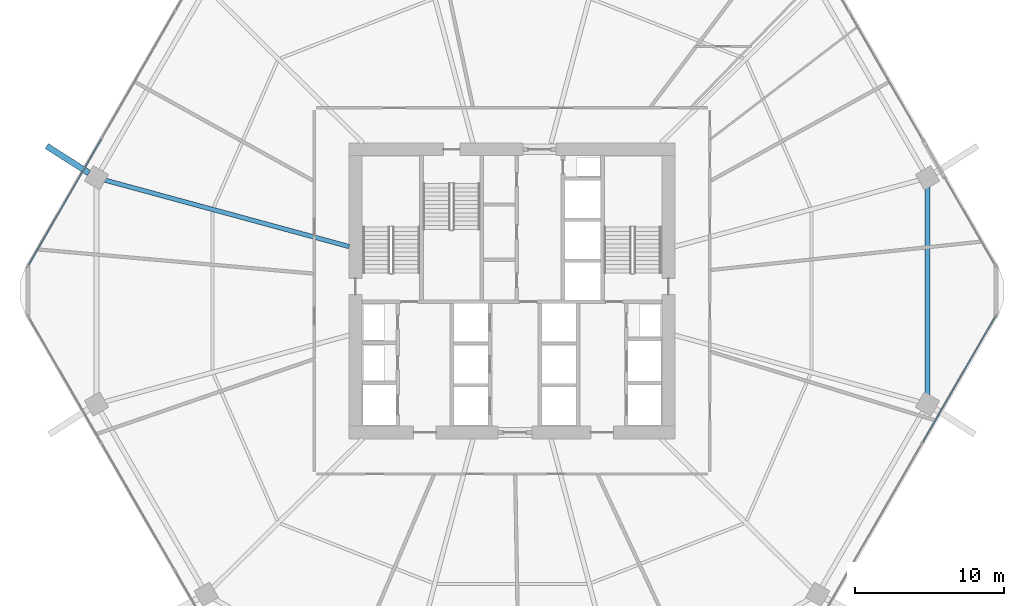
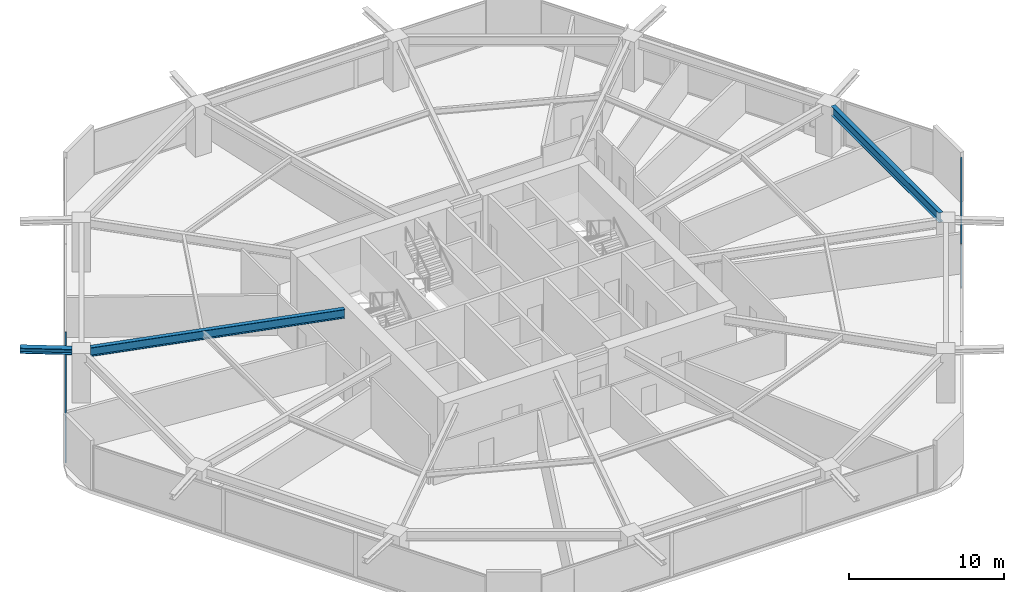
# One storey, part 12 of 25: 4 members, 3 beams, 2 elements without a shape of their own.
"""IFC4 building model written with IfcOpenShell, lengths in metres."""

import ifcopenshell
import ifcopenshell.guid

model = None  # the IFC model being written
_history = None  # IfcOwnerHistory: only IFC2X3 demands one
_inside = {}  # id of a spatial element -> (the spatial element, [elements in it])
_under = {}  # id of a project, library or spatial element -> (it, [spatial elements below it])
_declared = {}  # id of a project -> (the project, [libraries it declares])
_typed = {}  # id of a type object -> (the type object, [elements of that type])
_made_of = {}  # id of a material, layer set ... -> (it, [elements and type objects made of it])


def new_model(schema):
    """Start an empty IFC model of exactly this schema.

    Asked for "IFC4X3", IfcOpenShell would pick the latest addendum, in which some entities
    have other attributes; the version numbers below select the first issue.
    IFC2X3 requires an IfcOwnerHistory on every rooted entity: one is made here for all.
    """
    global model, _history
    if schema == "IFC4X3":
        model = ifcopenshell.file(schema_version=(4, 3, 0, 0))
    else:
        model = ifcopenshell.file(schema=schema)
    _inside.clear()
    _under.clear()
    _declared.clear()
    _typed.clear()
    _made_of.clear()
    _history = None
    if model.schema == "IFC2X3":
        org = make("IfcOrganization", Name="unknown")
        user = make(
            "IfcPersonAndOrganization",
            ThePerson=make("IfcPerson", FamilyName="unknown"),
            TheOrganization=org,
        )
        app = make(
            "IfcApplication",
            ApplicationDeveloper=org,
            Version="unknown",
            ApplicationFullName="unknown",
            ApplicationIdentifier="unknown",
        )
        _history = make(
            "IfcOwnerHistory",
            OwningUser=user,
            OwningApplication=app,
            ChangeAction="ADDED",
            CreationDate=0,
        )
    return model


def make(cls, **values):
    """One entity of the class cls with the attributes given. An attribute that is None is left unset."""
    return model.create_entity(
        cls, **{name: value for name, value in values.items() if value is not None}
    )


def rooted(cls, **values):
    """An entity with a GlobalId (a new one), such as an element, a storey or a relation."""
    return make(cls, GlobalId=ifcopenshell.guid.new(), OwnerHistory=_history, **values)


def si_unit(unit_type, name, prefix=None):
    """IfcSIUnit, for example si_unit("LENGTHUNIT", "METRE", prefix="MILLI")."""
    return make("IfcSIUnit", UnitType=unit_type, Prefix=prefix, Name=name)


def assignment(units):
    """IfcUnitAssignment: the units of a project."""
    return None if units is None else make("IfcUnitAssignment", Units=units)


def point(xyz):
    """IfcCartesianPoint."""
    return None if xyz is None else make("IfcCartesianPoint", Coordinates=xyz)


def direction(xyz):
    """IfcDirection."""
    return None if xyz is None else make("IfcDirection", DirectionRatios=xyz)


def frame(location, z_axis=None, x_axis=None):
    """IfcAxis2Placement3D, a coordinate frame: its origin and axes. An axis left out is left unset."""
    return make(
        "IfcAxis2Placement3D",
        Location=point(location),
        Axis=direction(z_axis),
        RefDirection=direction(x_axis),
    )


def frame_2d(location, x_axis=None):
    """IfcAxis2Placement2D, a coordinate frame in the plane: its origin and x axis."""
    return make(
        "IfcAxis2Placement2D", Location=point(location), RefDirection=direction(x_axis)
    )


def origin():
    """The frame at (0, 0, 0) with its axes left unset."""
    return frame((0.0, 0.0, 0.0))


def origin_2d():
    """The frame at (0, 0) in the plane with its x axis left unset."""
    return frame_2d((0.0, 0.0))


def place(relative_to, where):
    """IfcLocalPlacement: puts the frame where relative to a parent placement (None: the world)."""
    return make(
        "IfcLocalPlacement", PlacementRelTo=relative_to, RelativePlacement=where
    )


def context(
    kind, dimensions, precision=None, world=None, true_north=None, identifier=None
):
    """IfcGeometricRepresentationContext, for example the 3D "Model" context."""
    return make(
        "IfcGeometricRepresentationContext",
        ContextIdentifier=identifier,
        ContextType=kind,
        CoordinateSpaceDimension=dimensions,
        Precision=precision,
        WorldCoordinateSystem=world,
        TrueNorth=true_north,
    )


def subcontext(parent, identifier, kind, view, scale=None):
    """IfcGeometricRepresentationSubContext, for example "Body" below "Model"."""
    return make(
        "IfcGeometricRepresentationSubContext",
        ContextIdentifier=identifier,
        ContextType=kind,
        ParentContext=parent,
        TargetScale=scale,
        TargetView=view,
    )


def project(units=None, contexts=None):
    """IfcProject with its units and contexts."""
    return rooted(
        "IfcProject",
        Name="project",
        RepresentationContexts=contexts,
        UnitsInContext=assignment(units),
    )


def spatial(cls, under=None, at=None, **own):
    """A site, building, storey or space (cls), placed at a placement, below another one or the project."""
    s = rooted(cls, ObjectPlacement=at, **own)
    if under is not None:
        _under.setdefault(under.id(), (under, []))[1].append(s)
    return s


def profile(cls, at=None, kind="AREA", **sizes):
    """A parametric profile (cls). Its sizes go by their IFC names, for example OverallWidth=200.0."""
    return make(cls, ProfileType=kind, Position=at, **sizes)


def hollow_rectangle(**sizes):
    """IfcRectangleHollowProfileDef."""
    return profile("IfcRectangleHollowProfileDef", **sizes)


def i_section(**sizes):
    """IfcIShapeProfileDef."""
    return profile("IfcIShapeProfileDef", **sizes)


def extrude(swept, where, along, depth):
    """IfcExtrudedAreaSolid: the profile swept, set in the frame where, extruded along a direction by depth."""
    return make(
        "IfcExtrudedAreaSolid",
        SweptArea=swept,
        Position=where,
        ExtrudedDirection=direction(along),
        Depth=depth,
    )


def shape(context_of_items, identifier, shape_type, items):
    """IfcShapeRepresentation: the items that make up one representation, for example the "Body"."""
    return make(
        "IfcShapeRepresentation",
        ContextOfItems=context_of_items,
        RepresentationIdentifier=identifier,
        RepresentationType=shape_type,
        Items=items,
    )


def material(Name=None, Category=None):
    """IfcMaterial."""
    return make("IfcMaterial", Name=Name, Category=Category)


def material_profile(
    of_material, cross_section, Name=None, Category=None, Priority=None
):
    """IfcMaterialProfile: a cross section and its material."""
    return make(
        "IfcMaterialProfile",
        Name=Name,
        Material=of_material,
        Profile=cross_section,
        Priority=Priority,
        Category=Category,
    )


def profile_set(profiles, Name=None, composite=None):
    """IfcMaterialProfileSet."""
    return make(
        "IfcMaterialProfileSet",
        Name=Name,
        MaterialProfiles=profiles,
        CompositeProfile=composite,
    )


def made_of(thing, what):
    """Note that an element or type object is made of a material, layer set ...; save() writes the relation."""
    if what is not None:
        _made_of.setdefault(what.id(), (what, []))[1].append(thing)
    return thing


def type_object(cls, material=None, **own):
    """A type object (cls), such as IfcWallType, which elements share."""
    return made_of(rooted(cls, **own), material)


def element(
    cls,
    number,
    at=None,
    inside=None,
    cuts=None,
    type_object=None,
    material=None,
    context=None,
    identifier="Body",
    shape_type=None,
    held_by="IfcProductDefinitionShape",
    body=None,
    shapes=None,
    **own,
):
    """One element of the class cls, such as IfcWall. Its Tag is "e" and its number.

    at: its placement. inside: the storey or other place that contains it. cuts: it is an
    opening in that element (IfcRelVoidsElement). A single representation is given by context,
    identifier, shape_type and body (its items); several are given by shapes. held_by: the class
    of the entity that holds the representations. save() writes the other relations.
    """
    e = rooted(cls, Tag="e%d" % number, ObjectPlacement=at, **own)
    if body is not None:
        shapes = [shape(context, identifier, shape_type, body)]
    if shapes is not None:
        e.Representation = make(held_by, Representations=shapes)
    if inside is not None:
        _inside.setdefault(inside.id(), (inside, []))[1].append(e)
    if cuts is not None:
        rooted(
            "IfcRelVoidsElement", RelatingBuildingElement=cuts, RelatedOpeningElement=e
        )
    if type_object is not None:
        _typed.setdefault(type_object.id(), (type_object, []))[1].append(e)
    return made_of(e, material)


def aggregate(whole, parts):
    """IfcRelAggregates: a whole, such as a stair, and the parts it consists of."""
    return rooted("IfcRelAggregates", RelatingObject=whole, RelatedObjects=parts)


def save(model, path):
    """Write the relations noted so far, then the file.

    IfcRelAggregates (storeys below a building ...), IfcRelContainedInSpatialStructure (elements
    in a storey), IfcRelDefinesByType, IfcRelAssociatesMaterial and IfcRelDeclares: one each for
    every whole, place, type object, material and project.
    """
    for whole, parts in _under.values():
        aggregate(whole, parts)
    for where, things in _inside.values():
        rooted(
            "IfcRelContainedInSpatialStructure",
            RelatedElements=things,
            RelatingStructure=where,
        )
    for kind, things in _typed.values():
        rooted("IfcRelDefinesByType", RelatedObjects=things, RelatingType=kind)
    for what, things in _made_of.values():
        rooted("IfcRelAssociatesMaterial", RelatedObjects=things, RelatingMaterial=what)
    for by, libraries in _declared.values():
        rooted("IfcRelDeclares", RelatingContext=by, RelatedDefinitions=libraries)
    model.write(path)


model = new_model("IFC4")

# Units and contexts
model_context = context("Model", 3, precision=1e-05, world=origin(), true_north=direction((0.0, 1.0)))
body_context = subcontext(model_context, "Body", "Model", "MODEL_VIEW")
ifc_project = project(units=[si_unit("LENGTHUNIT", "METRE"), si_unit("AREAUNIT", "SQUARE_METRE"), si_unit("VOLUMEUNIT", "CUBIC_METRE"), si_unit("PLANEANGLEUNIT", "RADIAN"), si_unit("MASSUNIT", "GRAM", prefix="KILO")], contexts=[model_context])

# Site, building, storey
site_placement = place(None, origin())
site = spatial("IfcSite", under=ifc_project, at=site_placement, CompositionType="ELEMENT")
building_placement = place(site_placement, origin())
building = spatial("IfcBuilding", under=site, at=building_placement, Name="Zuhravey Tower", CompositionType="ELEMENT")
storey_placement = place(building_placement, frame((0.0, 0.0, 62.39990234375)))
storey = spatial("IfcBuildingStorey", under=building, at=storey_placement, Name="L15", CompositionType="ELEMENT", Elevation=62.39990234375)

# Curtain wall, members
ifc_material_1 = material(Name="Thermally broken anodised aluminium", Category="aluminium")
curtain_wall_type = type_object("IfcCurtainWallType", Name="School Low-E Unitised Curtain Wall CW1", PredefinedType="NOTDEFINED", material=ifc_material_1)
curtain_wall_1_placement = place(storey_placement, origin())
curtain_wall_1 = element("IfcCurtainWall", 1, at=curtain_wall_1_placement, inside=storey, type_object=curtain_wall_type, Name="L15 CW1 CW-L15-F6-1", PredefinedType="NOTDEFINED")
ifc_material_2 = material(Name="Anodised aluminium", Category="aluminium")
ifc_material_profile_1 = material_profile(ifc_material_2, hollow_rectangle(XDim=0.090087890625, YDim=0.14990234375, WallThickness=0.0048828125, at=origin_2d()), Name="ALU-RHS-90x150x5")
ifc_profile_set_1 = profile_set([ifc_material_profile_1], Name="Anodised aluminium")
member_type = type_object("IfcMemberType", Name="Curtain-Wall Transom 90x150", PredefinedType="USERDEFINED", material=ifc_profile_set_1)
member_1_placement = place(storey_placement, frame((68.43359375, 30.259521484375, 0.045166015625), z_axis=(-0.500008393077, -0.866020557985, 0.0), x_axis=(0.866020557985, -0.500008393077, 0.0)))
member_1 = element("IfcMember", 2, at=member_1_placement, type_object=member_type, Name="CW1 transom 1.1", ObjectType="TRANSOM", PredefinedType="USERDEFINED", context=body_context, shape_type="SweptSolid", body=[
    extrude(hollow_rectangle(XDim=0.090087890625, YDim=0.14990234375, WallThickness=0.0048828125, at=origin_2d()), origin(), (0.0, 0.0, 1.0), 9.731201171875),
])
member_2_placement = place(storey_placement, frame((68.43359375, 30.259521484375, 3.447021484375), z_axis=(-0.500008393077, -0.866020557985, 0.0), x_axis=(0.866020557985, -0.500008393077, 0.0)))
member_2 = element("IfcMember", 3, at=member_2_placement, type_object=member_type, Name="CW1 transom 1.2", ObjectType="TRANSOM", PredefinedType="USERDEFINED", context=body_context, shape_type="SweptSolid", body=[
    extrude(hollow_rectangle(XDim=0.090087890625, YDim=0.14990234375, WallThickness=0.0048828125, at=origin_2d()), origin(), (0.0, 0.0, 1.0), 9.731201171875),
])
aggregate(curtain_wall_1, [member_1, member_2])

curtain_wall_2_placement = place(storey_placement, origin())
curtain_wall_2 = element("IfcCurtainWall", 4, at=curtain_wall_2_placement, inside=storey, type_object=curtain_wall_type, Name="L15 CW1 CW-L15-F3-1", PredefinedType="NOTDEFINED")
member_3_placement = place(storey_placement, frame((3.56640625, 33.740478515625, 0.045166015625), z_axis=(0.500008393077, 0.866020557985, 0.0), x_axis=(-0.866020557985, 0.500008393077, 0.0)))
member_3 = element("IfcMember", 5, at=member_3_placement, type_object=member_type, Name="CW1 transom 1.1", ObjectType="TRANSOM", PredefinedType="USERDEFINED", context=body_context, shape_type="SweptSolid", body=[
    extrude(hollow_rectangle(XDim=0.090087890625, YDim=0.14990234375, WallThickness=0.0048828125, at=origin_2d()), origin(), (0.0, 0.0, 1.0), 9.731201171875),
])
member_4_placement = place(storey_placement, frame((3.56640625, 33.740478515625, 3.447021484375), z_axis=(0.500008393077, 0.866020557985, 0.0), x_axis=(-0.866020557985, 0.500008393077, 0.0)))
member_4 = element("IfcMember", 6, at=member_4_placement, type_object=member_type, Name="CW1 transom 1.2", ObjectType="TRANSOM", PredefinedType="USERDEFINED", context=body_context, shape_type="SweptSolid", body=[
    extrude(hollow_rectangle(XDim=0.090087890625, YDim=0.14990234375, WallThickness=0.0048828125, at=origin_2d()), origin(), (0.0, 0.0, 1.0), 9.731201171875),
])
aggregate(curtain_wall_2, [member_3, member_4])

# Beams
ifc_material_3 = material(Name="Steel SM460", Category="steel")
ifc_material_profile_2 = material_profile(ifc_material_3, i_section(OverallWidth=0.406982421875, OverallDepth=0.427978515625, WebThickness=0.02001953125, FlangeThickness=0.034912109375, at=origin_2d()), Name="H-428x407x20x35")
ifc_profile_set_2 = profile_set([ifc_material_profile_2], Name="Steel SM460")
beam_type_1 = type_object("IfcBeamType", Name="Exoskeleton Node Tie Beam H428x407", PredefinedType="BEAM", material=ifc_profile_set_2)
beam_1_placement = place(storey_placement, frame((7.60107421875, 39.916748046875, 3.7060546875), z_axis=(-0.843057334513, 0.537823698552, 0.0), x_axis=(-0.537823698552, -0.843057334513, 0.0)))
element("IfcBeam", 7, at=beam_1_placement, inside=storey, type_object=beam_type_1, Name="L15 Exoskeleton Node Tie NT1-06", PredefinedType="BEAM", context=body_context, shape_type="SweptSolid", body=[
    extrude(i_section(OverallWidth=0.406982421875, OverallDepth=0.427978515625, WebThickness=0.02001953125, FlangeThickness=0.034912109375, at=origin_2d()), origin(), (0.0, 0.0, 1.0), 3.3642578125),
])
ifc_material_4 = material(Name="Steel SM355", Category="steel")
ifc_material_profile_3 = material_profile(ifc_material_4, i_section(OverallWidth=0.320068359375, OverallDepth=0.75, WebThickness=0.013916015625, FlangeThickness=0.02490234375, at=origin_2d()), Name="H-750x320x14x25")
ifc_profile_set_3 = profile_set([ifc_material_profile_3], Name="Steel SM355")
beam_type_2 = type_object("IfcBeamType", Name="Perimeter Ring Beam H750x320", PredefinedType="BEAM", material=ifc_profile_set_3)
beam_2_placement = place(storey_placement, frame((63.88916015625, 25.011474609375, 3.545166015625), z_axis=(0.0, 1.0, 0.0), x_axis=(-1.0, 0.0, 0.0)))
element("IfcBeam", 8, at=beam_2_placement, inside=storey, type_object=beam_type_2, Name="L15 PB1 BM-L15-PB-12", PredefinedType="BEAM", context=body_context, shape_type="SweptSolid", body=[
    extrude(i_section(OverallWidth=0.320068359375, OverallDepth=0.75, WebThickness=0.013916015625, FlangeThickness=0.02490234375, at=origin_2d()), origin(), (0.0, 0.0, 1.0), 13.97705078125),
])
ifc_material_profile_4 = material_profile(ifc_material_4, i_section(OverallWidth=0.300048828125, OverallDepth=0.699951171875, WebThickness=0.012939453125, FlangeThickness=0.02392578125, at=origin_2d()), Name="H-700x300x13x24")
ifc_profile_set_4 = profile_set([ifc_material_profile_4], Name="Steel SM355")
beam_type_3 = type_object("IfcBeamType", Name="Radial Primary Girder H700x300", PredefinedType="BEAM", material=ifc_profile_set_4)
beam_3_placement = place(storey_placement, frame((25.072021484375, 34.974609375, 3.570068359375), z_axis=(-0.964892480455, 0.26264520015, 0.0), x_axis=(-0.26264520015, -0.964892480455, 0.0)))
element("IfcBeam", 9, at=beam_3_placement, inside=storey, type_object=beam_type_3, Name="L15 RG1 BM-L15-RAD-06", PredefinedType="BEAM", context=body_context, shape_type="SweptSolid", body=[
    extrude(i_section(OverallWidth=0.300048828125, OverallDepth=0.699951171875, WebThickness=0.012939453125, FlangeThickness=0.02392578125, at=origin_2d()), origin(), (0.0, 0.0, 1.0), 16.975341796875),
])

save(model, "model.ifc")
